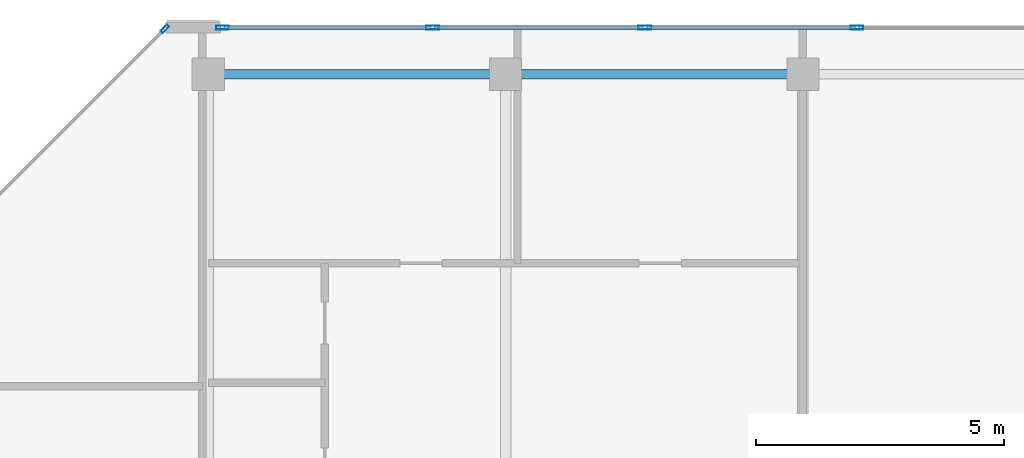
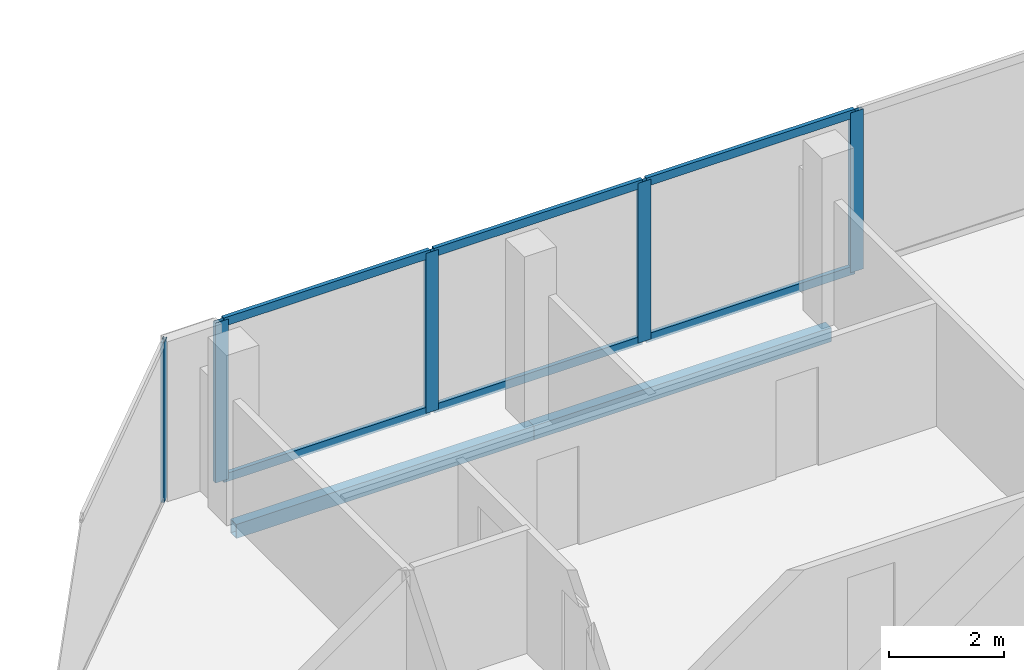
# One storey, part 15 of 30: 11 members, 2 beams, 2 elements without a shape of their own.
"""IFC4 building model written with IfcOpenShell, lengths in metres."""

from ifc_helpers import new_model, si_unit, direction, frame, origin, origin_2d, place, context, subcontext, project, spatial, hollow_rectangle, extrude, material, layer, layer_set, material_profile, profile_set, type_object, element, aggregate, save


model = new_model("IFC4")

# Units and contexts
model_context = context("Model", 3, precision=1e-05, world=origin(), true_north=direction((0.0, 1.0)))
body_context = subcontext(model_context, "Body", "Model", "MODEL_VIEW")
ifc_project = project(units=[si_unit("LENGTHUNIT", "METRE"), si_unit("AREAUNIT", "SQUARE_METRE"), si_unit("VOLUMEUNIT", "CUBIC_METRE"), si_unit("PLANEANGLEUNIT", "RADIAN"), si_unit("MASSUNIT", "GRAM", prefix="KILO")], contexts=[model_context])

# Site, building, storey
site_placement = place(None, origin())
site = spatial("IfcSite", under=ifc_project, at=site_placement, CompositionType="ELEMENT")
building_placement = place(site_placement, origin())
building = spatial("IfcBuilding", under=site, at=building_placement, Name="Tanjung Sevakor Pilgrim Tower", CompositionType="ELEMENT")
storey_placement = place(building_placement, frame((0.0, 0.0, 253.43994140625)))
storey = spatial("IfcBuildingStorey", under=building, at=storey_placement, Name="L71", CompositionType="ELEMENT", Elevation=253.43994140625)

# Beams
ifc_material_1 = material(Name="Steel S355J2", Category="steel")
ifc_material_profile_1 = material_profile(ifc_material_1, hollow_rectangle(XDim=0.199951171875, YDim=0.300048828125, WallThickness=0.012451171875, at=origin_2d()))
ifc_profile_set_1 = profile_set([ifc_material_profile_1], Name="Steel S355J2")
beam_type = type_object("IfcBeamType", Name="BM-B-SP3-RHS_300x200x12.5", PredefinedType="SPANDREL", material=ifc_profile_set_1)
for number, where, z_axis, x_axis, name in (
    (1, (72.0, 53.949951171875, -0.369873046875), (1.0, 0.0, 0.0), (0.0, 1.0, 0.0), "L71 Spandrel EAST N-02"),
    (2, (78.0, 53.949951171875, -0.369873046875), (1.0, 0.0, 0.0), (0.0, 1.0, 0.0), "L71 Spandrel EAST N-04"),
):
    element("IfcBeam", number, at=place(storey_placement, frame(where, z_axis=z_axis, x_axis=x_axis)), inside=storey, type_object=beam_type, Name=name, PredefinedType="SPANDREL", context=body_context, shape_type="SweptSolid", body=[
        extrude(hollow_rectangle(XDim=0.199951171875, YDim=0.300048828125, WallThickness=0.012451171875, at=origin_2d()), origin(), (0.0, 0.0, 1.0), 6.0),
    ])

# Curtain wall, member
ifc_material_2 = material(Name="Aluminium 6063-T6 and Low-E Glass", Category="aluminium")
ifc_layer_1 = layer(ifc_material_2, 0.179931640625)
ifc_layer_set_1 = layer_set([ifc_layer_1], Name="CW-SYS-CHAM")
curtain_wall_type_1 = type_object("IfcCurtainWallType", Name="CW-SYS-CHAM", PredefinedType="NOTDEFINED", material=ifc_layer_set_1)
curtain_wall_1_placement = place(storey_placement, origin())
curtain_wall_1 = element("IfcCurtainWall", 3, at=curtain_wall_1_placement, inside=storey, type_object=curtain_wall_type_1, Name="L71 Curtain Wall CW-CHM-L71-EAST-5", PredefinedType="NOTDEFINED")
ifc_material_3 = material(Name="Aluminium 6063-T6", Category="aluminium")
ifc_material_profile_2 = material_profile(ifc_material_3, hollow_rectangle(XDim=0.06494140625, YDim=0.179931640625, WallThickness=0.00390625, at=origin_2d()))
ifc_profile_set_2 = profile_set([ifc_material_profile_2], Name="Aluminium 6063-T6")
member_type_1 = type_object("IfcMemberType", Name="TYPE-CWM-1", PredefinedType="MULLION", material=ifc_profile_set_2)
member_1_placement = place(storey_placement, frame((71.12255859375, 54.866943359375, 0.0), z_axis=(0.0, 0.0, 1.0), x_axis=(0.707106781187, -0.707106781187, 0.0)))
member_1 = element("IfcMember", 4, at=member_1_placement, type_object=member_type_1, Name="CW-CHM mullion 1", PredefinedType="MULLION", context=body_context, shape_type="SweptSolid", body=[
    extrude(hollow_rectangle(XDim=0.06494140625, YDim=0.179931640625, WallThickness=0.00390625, at=origin_2d()), origin(), (0.0, 0.0, 1.0), 3.41015625),
])
aggregate(curtain_wall_1, [member_1])

# Curtain wall, members
ifc_material_4 = material(Name="Aluminium 6063-T6 and Low-E Glass", Category="aluminium")
ifc_layer_2 = layer(ifc_material_4, 0.219970703125)
ifc_layer_set_2 = layer_set([ifc_layer_2], Name="CW-SYS-CRNE")
curtain_wall_type_2 = type_object("IfcCurtainWallType", Name="CW-SYS-CRNE", PredefinedType="NOTDEFINED", material=ifc_layer_set_2)
curtain_wall_2_placement = place(storey_placement, origin())
curtain_wall_2 = element("IfcCurtainWall", 5, at=curtain_wall_2_placement, inside=storey, type_object=curtain_wall_type_2, Name="L71 Curtain Wall CW-CRN-L71-EAST-4-1", PredefinedType="NOTDEFINED")
ifc_material_5 = material(Name="Aluminium 6063-T6", Category="aluminium")
ifc_material_profile_3 = material_profile(ifc_material_5, hollow_rectangle(XDim=0.080078125, YDim=0.260009765625, WallThickness=0.0048828125, at=origin_2d()))
ifc_profile_set_3 = profile_set([ifc_material_profile_3], Name="Aluminium 6063-T6")
member_type_2 = type_object("IfcMemberType", Name="TYPE-CWM-3", PredefinedType="MULLION", material=ifc_profile_set_3)
member_2_placement = place(storey_placement, frame((85.0908203125, 54.889892578125, 0.0), z_axis=(0.0, 0.0, 1.0), x_axis=(0.0, -1.0, 0.0)))
member_2 = element("IfcMember", 6, at=member_2_placement, type_object=member_type_2, Name="CW-CRE mullion 3", PredefinedType="MULLION", context=body_context, shape_type="SweptSolid", body=[
    extrude(hollow_rectangle(XDim=0.080078125, YDim=0.260009765625, WallThickness=0.0048828125, at=origin_2d()), origin(), (0.0, 0.0, 1.0), 3.41015625),
])
member_3_placement = place(storey_placement, frame((80.80908203125, 54.889892578125, 0.0), z_axis=(0.0, 0.0, 1.0), x_axis=(0.0, -1.0, 0.0)))
member_3 = element("IfcMember", 7, at=member_3_placement, type_object=member_type_2, Name="CW-CRE mullion 4", PredefinedType="MULLION", context=body_context, shape_type="SweptSolid", body=[
    extrude(hollow_rectangle(XDim=0.080078125, YDim=0.260009765625, WallThickness=0.0048828125, at=origin_2d()), origin(), (0.0, 0.0, 1.0), 3.41015625),
])
member_4_placement = place(storey_placement, frame((76.52734375, 54.889892578125, 0.0), z_axis=(0.0, 0.0, 1.0), x_axis=(0.0, -1.0, 0.0)))
member_4 = element("IfcMember", 8, at=member_4_placement, type_object=member_type_2, Name="CW-CRE mullion 5", PredefinedType="MULLION", context=body_context, shape_type="SweptSolid", body=[
    extrude(hollow_rectangle(XDim=0.080078125, YDim=0.260009765625, WallThickness=0.0048828125, at=origin_2d()), origin(), (0.0, 0.0, 1.0), 3.41015625),
])
member_5_placement = place(storey_placement, frame((72.28564453125, 54.889892578125, 0.0), z_axis=(0.0, 0.0, 1.0), x_axis=(0.0, -1.0, 0.0)))
member_5 = element("IfcMember", 9, at=member_5_placement, type_object=member_type_2, Name="CW-CRE mullion 6", PredefinedType="MULLION", context=body_context, shape_type="SweptSolid", body=[
    extrude(hollow_rectangle(XDim=0.080078125, YDim=0.260009765625, WallThickness=0.0048828125, at=origin_2d()), origin(), (0.0, 0.0, 1.0), 3.41015625),
])
ifc_material_6 = material(Name="Aluminium 6063-T6", Category="aluminium")
ifc_material_profile_4 = material_profile(ifc_material_6, hollow_rectangle(XDim=0.080078125, YDim=0.179931640625, WallThickness=0.0048828125, at=origin_2d()))
ifc_profile_set_4 = profile_set([ifc_material_profile_4], Name="Aluminium 6063-T6")
member_type_3 = type_object("IfcMemberType", Name="TYPE-CWT-3", PredefinedType="USERDEFINED", material=ifc_profile_set_4)
member_6_placement = place(storey_placement, frame((85.05078125, 54.889892578125, 0.0400390625), z_axis=(-1.0, 0.0, 0.0), x_axis=(0.0, -1.0, 0.0)))
member_6 = element("IfcMember", 10, at=member_6_placement, type_object=member_type_3, Name="CW-CRE transom 3.1", ObjectType="TRANSOM", PredefinedType="USERDEFINED", context=body_context, shape_type="SweptSolid", body=[
    extrude(hollow_rectangle(XDim=0.080078125, YDim=0.179931640625, WallThickness=0.0048828125, at=origin_2d()), origin(), (0.0, 0.0, 1.0), 4.20166015625),
])
member_7_placement = place(storey_placement, frame((85.05078125, 54.889892578125, 3.3701171875), z_axis=(-1.0, 0.0, 0.0), x_axis=(0.0, -1.0, 0.0)))
member_7 = element("IfcMember", 11, at=member_7_placement, type_object=member_type_3, Name="CW-CRE transom 3.2", ObjectType="TRANSOM", PredefinedType="USERDEFINED", context=body_context, shape_type="SweptSolid", body=[
    extrude(hollow_rectangle(XDim=0.080078125, YDim=0.179931640625, WallThickness=0.0048828125, at=origin_2d()), origin(), (0.0, 0.0, 1.0), 4.20166015625),
])
member_8_placement = place(storey_placement, frame((80.76904296875, 54.889892578125, 0.0400390625), z_axis=(-1.0, 0.0, 0.0), x_axis=(0.0, -1.0, 0.0)))
member_8 = element("IfcMember", 12, at=member_8_placement, type_object=member_type_3, Name="CW-CRE transom 4.1", ObjectType="TRANSOM", PredefinedType="USERDEFINED", context=body_context, shape_type="SweptSolid", body=[
    extrude(hollow_rectangle(XDim=0.080078125, YDim=0.179931640625, WallThickness=0.0048828125, at=origin_2d()), origin(), (0.0, 0.0, 1.0), 4.20166015625),
])
member_9_placement = place(storey_placement, frame((80.76904296875, 54.889892578125, 3.3701171875), z_axis=(-1.0, 0.0, 0.0), x_axis=(0.0, -1.0, 0.0)))
member_9 = element("IfcMember", 13, at=member_9_placement, type_object=member_type_3, Name="CW-CRE transom 4.2", ObjectType="TRANSOM", PredefinedType="USERDEFINED", context=body_context, shape_type="SweptSolid", body=[
    extrude(hollow_rectangle(XDim=0.080078125, YDim=0.179931640625, WallThickness=0.0048828125, at=origin_2d()), origin(), (0.0, 0.0, 1.0), 4.20166015625),
])
member_10_placement = place(storey_placement, frame((76.4873046875, 54.889892578125, 0.0400390625), z_axis=(-1.0, 0.0, 0.0), x_axis=(0.0, -1.0, 0.0)))
member_10 = element("IfcMember", 14, at=member_10_placement, type_object=member_type_3, Name="CW-CRE transom 5.1", ObjectType="TRANSOM", PredefinedType="USERDEFINED", context=body_context, shape_type="SweptSolid", body=[
    extrude(hollow_rectangle(XDim=0.080078125, YDim=0.179931640625, WallThickness=0.0048828125, at=origin_2d()), origin(), (0.0, 0.0, 1.0), 4.16162109375),
])
member_11_placement = place(storey_placement, frame((76.4873046875, 54.889892578125, 3.3701171875), z_axis=(-1.0, 0.0, 0.0), x_axis=(0.0, -1.0, 0.0)))
member_11 = element("IfcMember", 15, at=member_11_placement, type_object=member_type_3, Name="CW-CRE transom 5.2", ObjectType="TRANSOM", PredefinedType="USERDEFINED", context=body_context, shape_type="SweptSolid", body=[
    extrude(hollow_rectangle(XDim=0.080078125, YDim=0.179931640625, WallThickness=0.0048828125, at=origin_2d()), origin(), (0.0, 0.0, 1.0), 4.16162109375),
])
aggregate(curtain_wall_2, [member_2, member_3, member_4, member_5, member_6, member_7, member_8, member_9, member_10, member_11])

save(model, "model.ifc")
